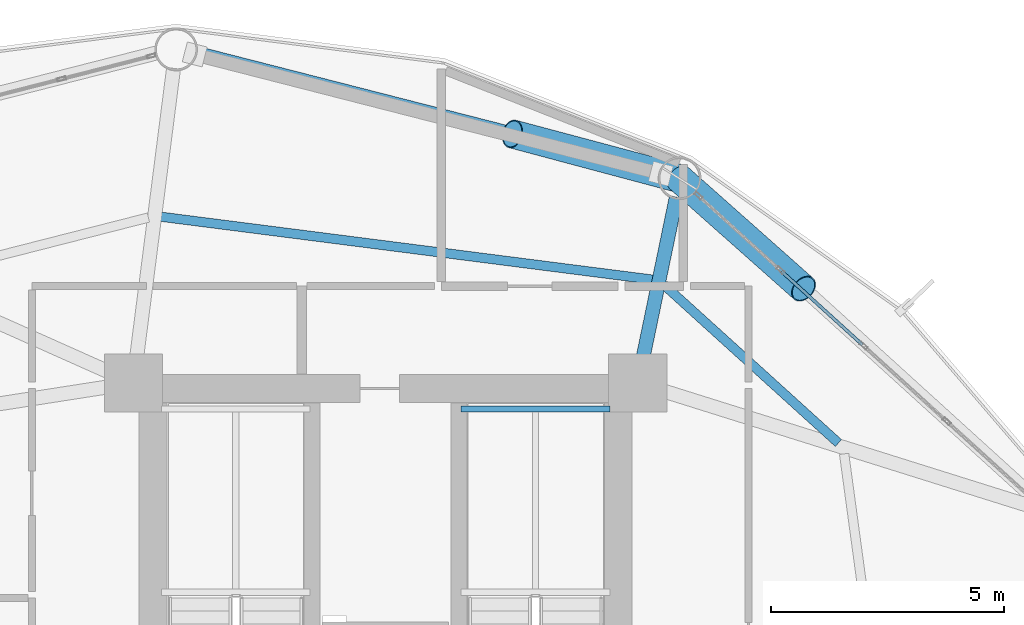
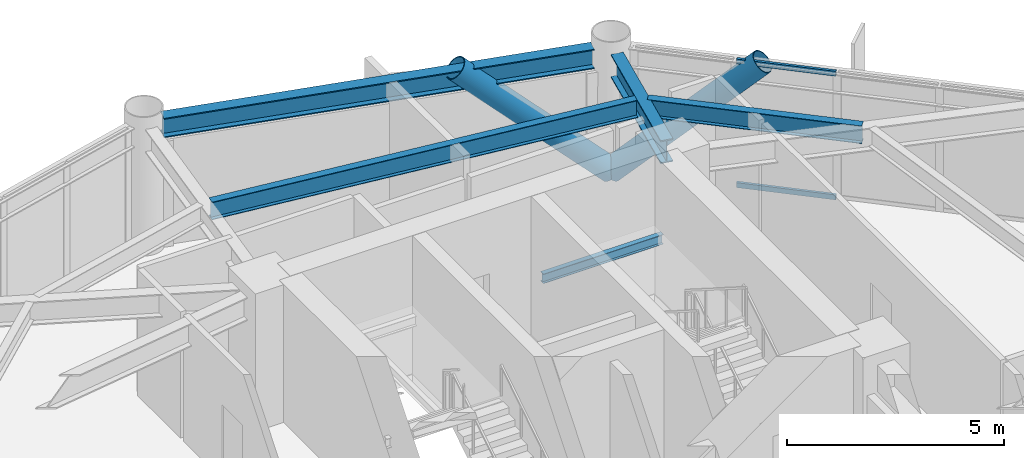
# One storey, part 17 of 25: 5 beams, 4 members, 1 element without a shape of its own.
"""IFC4 building model written with IfcOpenShell, lengths in metres."""

from ifc_helpers import new_model, si_unit, direction, frame, origin, origin_2d, place, context, subcontext, project, spatial, hollow_rectangle, hollow_circle, i_section, extrude, material, layer, layer_set, material_profile, profile_set, type_object, element, aggregate, save


model = new_model("IFC4")

# Units and contexts
model_context = context("Model", 3, precision=1e-05, world=origin(), true_north=direction((0.0, 1.0)))
body_context = subcontext(model_context, "Body", "Model", "MODEL_VIEW")
ifc_project = project(units=[si_unit("LENGTHUNIT", "METRE"), si_unit("AREAUNIT", "SQUARE_METRE"), si_unit("VOLUMEUNIT", "CUBIC_METRE"), si_unit("PLANEANGLEUNIT", "RADIAN"), si_unit("MASSUNIT", "GRAM", prefix="KILO")], contexts=[model_context])

# Site, building, storey
site_placement = place(None, origin())
site = spatial("IfcSite", under=ifc_project, at=site_placement, CompositionType="ELEMENT")
building_placement = place(site_placement, origin())
building = spatial("IfcBuilding", under=site, at=building_placement, Name="Varnakorn Sky Granary", CompositionType="ELEMENT")
storey_placement = place(building_placement, frame((0.0, 0.0, 74.39990234375)))
storey = spatial("IfcBuildingStorey", under=building, at=storey_placement, Name="L18", CompositionType="ELEMENT", Elevation=74.39990234375)

# Beams
ifc_material_1 = material(Name="Steel S355JR", Category="steel")
ifc_material_profile_1 = material_profile(ifc_material_1, i_section(OverallWidth=0.135009765625, OverallDepth=0.27001953125, WebThickness=0.006591796875, FlangeThickness=0.01025390625, at=origin_2d()), Name="IPE 270")
ifc_profile_set_1 = profile_set([ifc_material_profile_1], Name="Steel S355JR")
beam_type_1 = type_object("IfcBeamType", Name="BM-LND-270", PredefinedType="BEAM", material=ifc_profile_set_1)
beam_1_placement = place(storey_placement, frame((4.6201171875, 12.06005859375, 1.614990234375), z_axis=(1.0, 0.0, 0.0), x_axis=(0.0, 1.0, 0.0)))
element("IfcBeam", 1, at=beam_1_placement, inside=storey, type_object=beam_type_1, Name="Stair ST-2 Landing Trimmer Beam B L18-1", PredefinedType="BEAM", context=body_context, shape_type="SweptSolid", body=[
    extrude(i_section(OverallWidth=0.135009765625, OverallDepth=0.27001953125, WebThickness=0.006591796875, FlangeThickness=0.01025390625, at=origin_2d()), origin(), (0.0, 0.0, 1.0), 3.199951171875),
])
ifc_material_profile_2 = material_profile(ifc_material_1, i_section(OverallWidth=0.300048828125, OverallDepth=0.64990234375, WebThickness=0.01611328125, FlangeThickness=0.031005859375, at=origin_2d()), Name="HE 650 B")
ifc_profile_set_2 = profile_set([ifc_material_profile_2], Name="Steel S355JR")
beam_type_2 = type_object("IfcBeamType", Name="BM-RAD-Z1", PredefinedType="BEAM", material=ifc_profile_set_2)
beam_2_placement = place(storey_placement, frame((8.50537109375, 13.03125, 3.22509765625), z_axis=(0.203040239193, 0.979170394399, 0.0), x_axis=(-0.979170394399, 0.203040239193, 0.0)))
element("IfcBeam", 2, at=beam_2_placement, inside=storey, type_object=beam_type_2, Name="Radial Floor Girder RG03 L18", PredefinedType="BEAM", context=body_context, shape_type="SweptSolid", body=[
    extrude(i_section(OverallWidth=0.300048828125, OverallDepth=0.64990234375, WebThickness=0.01611328125, FlangeThickness=0.031005859375, at=origin_2d()), origin(), (0.0, 0.0, 1.0), 3.658935546875),
])
ifc_material_profile_3 = material_profile(ifc_material_1, i_section(OverallWidth=0.199951171875, OverallDepth=0.5, WebThickness=0.01025390625, FlangeThickness=0.01611328125, at=origin_2d()), Name="IPE 500")
ifc_profile_set_3 = profile_set([ifc_material_profile_3], Name="Steel S355JR")
beam_type_3 = type_object("IfcBeamType", Name="BM-SEC-Z1", PredefinedType="BEAM", material=ifc_profile_set_3)
beam_3_placement = place(storey_placement, frame((12.731689453125, 11.328369140625, 3.300048828125), z_axis=(-0.740927712034, 0.671584786561, 0.0), x_axis=(-0.671584786561, -0.740927712034, 0.0)))
element("IfcBeam", 3, at=beam_3_placement, inside=storey, type_object=beam_type_3, Name="Secondary Floor Chord Beam MSB02 L18", PredefinedType="BEAM", context=body_context, shape_type="SweptSolid", body=[
    extrude(i_section(OverallWidth=0.199951171875, OverallDepth=0.5, WebThickness=0.01025390625, FlangeThickness=0.01611328125, at=origin_2d()), origin(), (0.0, 0.0, 1.0), 5.06298828125),
])
beam_4_placement = place(storey_placement, frame((8.73779296875, 14.84033203125, 3.300048828125), z_axis=(-0.991920702983, 0.126859445819, 0.0), x_axis=(-0.126859445819, -0.991920702983, 0.0)))
element("IfcBeam", 4, at=beam_4_placement, inside=storey, type_object=beam_type_3, Name="Secondary Floor Chord Beam MSB03 L18", PredefinedType="BEAM", context=body_context, shape_type="SweptSolid", body=[
    extrude(i_section(OverallWidth=0.199951171875, OverallDepth=0.5, WebThickness=0.01025390625, FlangeThickness=0.01611328125, at=origin_2d()), origin(), (0.0, 0.0, 1.0), 10.646240234375),
])
ifc_material_profile_4 = material_profile(ifc_material_1, i_section(OverallWidth=0.300048828125, OverallDepth=0.550048828125, WebThickness=0.014892578125, FlangeThickness=0.029052734375, at=origin_2d()), Name="HE 550 B")
ifc_profile_set_4 = profile_set([ifc_material_profile_4], Name="Steel S355JR")
beam_type_4 = type_object("IfcBeamType", Name="BM-SPD-Z1", PredefinedType="SPANDREL", material=ifc_profile_set_4)
beam_5_placement = place(storey_placement, frame((8.909912109375, 17.15625, 3.275146484375), z_axis=(-0.96880812905, 0.247812043869, 0.0), x_axis=(-0.247812043869, -0.96880812905, 0.0)))
element("IfcBeam", 5, at=beam_5_placement, inside=storey, type_object=beam_type_4, Name="Perimeter Spandrel Ring Beam RB03 L18", PredefinedType="SPANDREL", context=body_context, shape_type="SweptSolid", body=[
    extrude(i_section(OverallWidth=0.300048828125, OverallDepth=0.550048828125, WebThickness=0.014892578125, FlangeThickness=0.029052734375, at=origin_2d()), origin(), (0.0, 0.0, 1.0), 10.302978515625),
])

# Curtain wall, members
ifc_material_2 = material(Name="Anodised Bronze Aluminium Alloy 6063-T6", Category="aluminium")
ifc_layer = layer(ifc_material_2, 0.18994140625, Name="Anodised Bronze Aluminium Alloy 6063-T6")
ifc_layer_set = layer_set([ifc_layer], Name="Anodised Bronze Aluminium Alloy 6063-T6")
curtain_wall_type = type_object("IfcCurtainWallType", Name="CW-FRM-1", PredefinedType="USERDEFINED", material=ifc_layer_set)
curtain_wall_placement = place(storey_placement, origin())
curtain_wall = element("IfcCurtainWall", 6, at=curtain_wall_placement, inside=storey, type_object=curtain_wall_type, Name="Unitised Curtain Wall CW3 CW-L18-B02", ObjectType="CURTAIN WALL", PredefinedType="USERDEFINED")
ifc_material_profile_5 = material_profile(ifc_material_2, hollow_rectangle(XDim=0.070068359375, YDim=0.139892578125, WallThickness=0.00341796875, at=origin_2d()), Name="ALU TRAN 70x140")
ifc_profile_set_5 = profile_set([ifc_material_profile_5], Name="Anodised Bronze Aluminium Alloy 6063-T6")
member_type_1 = type_object("IfcMemberType", Name="CW-FRM-1-TRAN", PredefinedType="USERDEFINED", material=ifc_profile_set_5)
member_1_placement = place(storey_placement, frame((11.509765625, 15.018798828125, 0.03515625), z_axis=(0.740180266474, -0.672408486801, 0.0), x_axis=(0.672408486801, 0.740180266474, 0.0)))
member_1 = element("IfcMember", 7, at=member_1_placement, type_object=member_type_1, Name="CW3 transom 2.1", ObjectType="TRANSOM", PredefinedType="USERDEFINED", context=body_context, shape_type="SweptSolid", body=[
    extrude(hollow_rectangle(XDim=0.070068359375, YDim=0.139892578125, WallThickness=0.00341796875, at=origin_2d()), origin(), (0.0, 0.0, 1.0), 2.34521484375),
])
member_2_placement = place(storey_placement, frame((11.509765625, 15.018798828125, 3.51513671875), z_axis=(0.740180266474, -0.672408486801, 0.0), x_axis=(0.672408486801, 0.740180266474, 0.0)))
member_2 = element("IfcMember", 8, at=member_2_placement, type_object=member_type_1, Name="CW3 transom 2.2", ObjectType="TRANSOM", PredefinedType="USERDEFINED", context=body_context, shape_type="SweptSolid", body=[
    extrude(hollow_rectangle(XDim=0.070068359375, YDim=0.139892578125, WallThickness=0.00341796875, at=origin_2d()), origin(), (0.0, 0.0, 1.0), 2.34521484375),
])
aggregate(curtain_wall, [member_1, member_2])

# Members
ifc_material_3 = material(Name="Steel S460M", Category="steel")
ifc_material_profile_6 = material_profile(ifc_material_3, hollow_circle(Radius=0.304931640625, WallThickness=0.022216796875, at=origin_2d()), Name="CHS 610x22")
ifc_profile_set_6 = profile_set([ifc_material_profile_6], Name="Steel S460M")
member_type_2 = type_object("IfcMemberType", Name="MB-DIAG-T1", PredefinedType="BRACE", material=ifc_profile_set_6)
member_3_placement = place(storey_placement, frame((9.3134765625, 17.013916015625, 0.0), z_axis=(0.530266033352, -0.470560784376, 0.705259159515), x_axis=(0.663743646277, 0.747960140667, 0.0)))
element("IfcMember", 9, at=member_3_placement, inside=storey, type_object=member_type_2, Name="Perimeter CHS Diagrid Brace DG02 L18", PredefinedType="BRACE", context=body_context, shape_type="SweptSolid", body=[
    extrude(hollow_circle(Radius=0.304931640625, WallThickness=0.022216796875, at=origin_2d()), origin(), (0.0, 0.0, 1.0), 5.03369140625),
])
member_4_placement = place(storey_placement, frame((9.3134765625, 17.013916015625, 0.0), z_axis=(-0.698426209399, 0.186285006521, 0.691012826487), x_axis=(-0.257711752729, -0.966221844353, 0.0)))
element("IfcMember", 10, at=member_4_placement, inside=storey, type_object=member_type_2, Name="Perimeter CHS Diagrid Brace DG03 L18", PredefinedType="BRACE", context=body_context, shape_type="SweptSolid", body=[
    extrude(hollow_circle(Radius=0.304931640625, WallThickness=0.022216796875, at=origin_2d()), origin(), (0.0, 0.0, 1.0), 5.137451171875),
])

save(model, "model.ifc")
